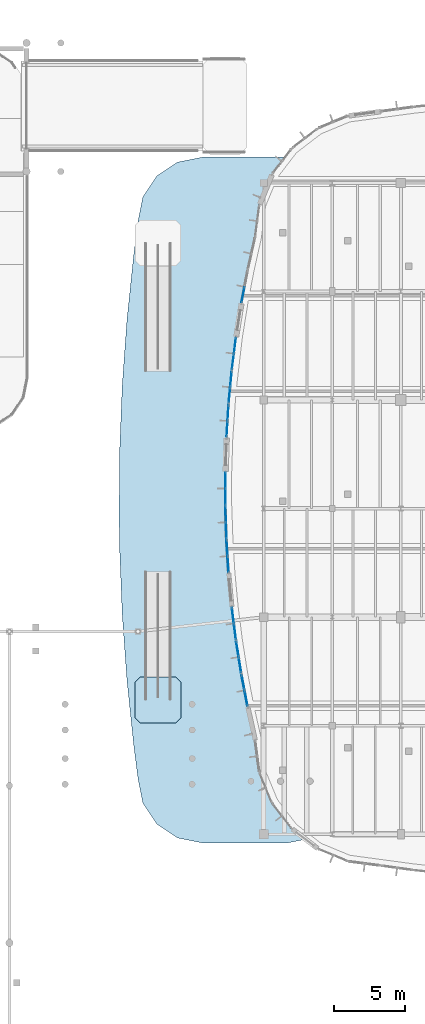
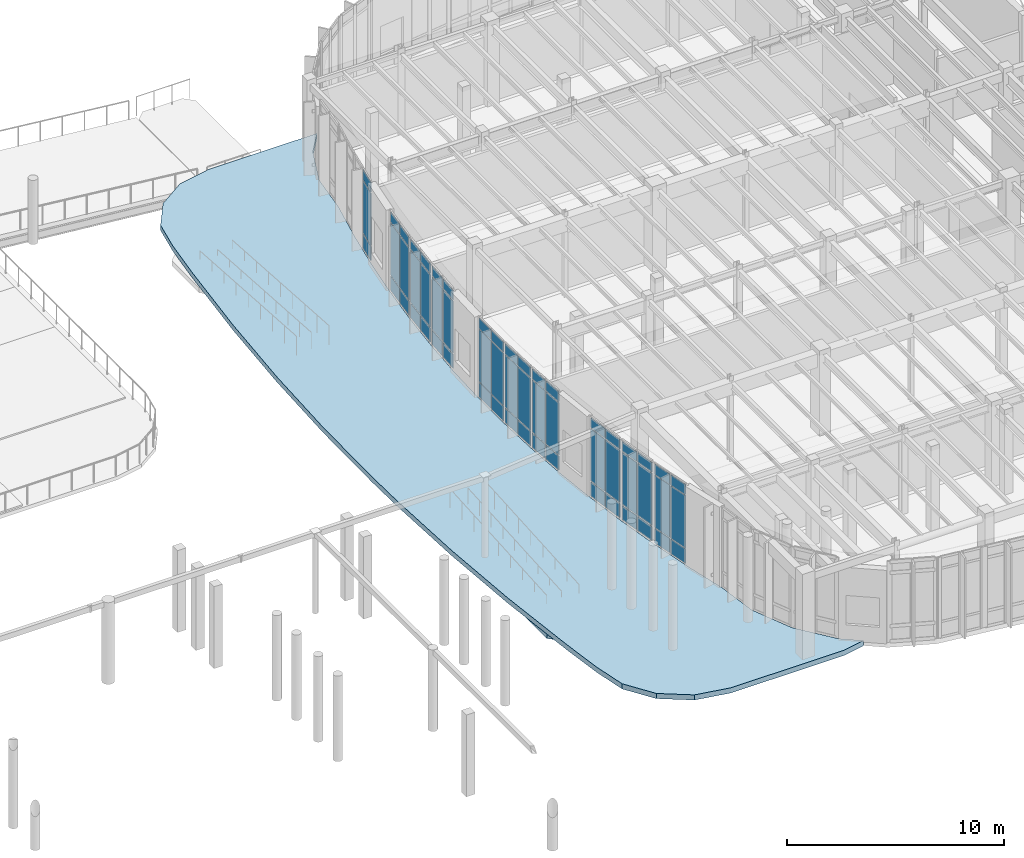
# One storey, part 80 of 120: 57 plates, 2 slabs, 10 elements without a shape of their own.
"""IFC4 building model written with IfcOpenShell, lengths in metres."""

from ifc_helpers import new_model, si_unit, direction, frame, origin, origin_2d, place, context, subcontext, project, spatial, polyline, rectangle, outline, extrude, material, layer, layer_set, type_object, element, aggregate, save


model = new_model("IFC4")

# Units and contexts
model_context = context("Model", 3, precision=1e-05, world=origin(), true_north=direction((0.0, 1.0)))
body_context = subcontext(model_context, "Body", "Model", "MODEL_VIEW")
ifc_project = project(units=[si_unit("LENGTHUNIT", "METRE"), si_unit("AREAUNIT", "SQUARE_METRE"), si_unit("VOLUMEUNIT", "CUBIC_METRE"), si_unit("PLANEANGLEUNIT", "RADIAN"), si_unit("MASSUNIT", "GRAM", prefix="KILO")], contexts=[model_context])

# Site, building, storey
site_placement = place(None, origin())
site = spatial("IfcSite", under=ifc_project, at=site_placement, CompositionType="ELEMENT")
building_placement = place(site_placement, origin())
building = spatial("IfcBuilding", under=site, at=building_placement, Name="Corveleigh Park Community Centre", CompositionType="ELEMENT")
storey_placement = place(building_placement, origin())
storey = spatial("IfcBuildingStorey", under=building, at=storey_placement, Name="L00", CompositionType="ELEMENT", Elevation=0.0)

# Curtain wall, plates
ifc_material_1 = material(Name="Anodised aluminium 6063-T6", Category="aluminium")
curtain_wall_type = type_object("IfcCurtainWallType", Name="CW-SYS-V4-L00", PredefinedType="NOTDEFINED", material=ifc_material_1)
curtain_wall_1_placement = place(storey_placement, origin())
curtain_wall_1 = element("IfcCurtainWall", 1, at=curtain_wall_1_placement, inside=storey, type_object=curtain_wall_type, Name="V4 L00 Curtain Wall 147", PredefinedType="NOTDEFINED")
ifc_material_2 = material(Name="Low-E double glazing", Category="glass")
ifc_layer_1 = layer(ifc_material_2, 0.028076171875, Name="Low-E double glazing", Category="glass")
ifc_layer_set_1 = layer_set([ifc_layer_1], Name="Low-E double glazing")
plate_type_1 = type_object("IfcPlateType", Name="CWP-GLZ-28", PredefinedType="CURTAIN_PANEL", material=ifc_layer_set_1)
plate_1_placement = place(storey_placement, frame((128.353271484375, 96.365478515625, 0.06494140625), z_axis=(0.0, 0.0, 1.0), x_axis=(0.187190304951, 0.982323668519, 0.0)))
plate_1 = element("IfcPlate", 2, at=plate_1_placement, type_object=plate_type_1, Name="CW07 panel 1.1", PredefinedType="CURTAIN_PANEL", context=body_context, shape_type="SweptSolid", body=[
    extrude(rectangle(XDim=1.0703125, YDim=0.028076171875, at=origin_2d()), origin(), (0.0, 0.0, 1.0), 0.802490234375),
])
plate_2_placement = place(storey_placement, frame((128.353271484375, 96.365478515625, 0.9326171875), z_axis=(0.0, 0.0, 1.0), x_axis=(0.187190304951, 0.982323668519, 0.0)))
plate_2 = element("IfcPlate", 3, at=plate_2_placement, type_object=plate_type_1, Name="CW07 panel 1.2", PredefinedType="CURTAIN_PANEL", context=body_context, shape_type="SweptSolid", body=[
    extrude(rectangle(XDim=1.0703125, YDim=0.028076171875, at=origin_2d()), origin(), (0.0, 0.0, 1.0), 2.922119140625),
])
plate_3_placement = place(storey_placement, frame((128.353271484375, 96.365478515625, 3.91943359375), z_axis=(0.0, 0.0, 1.0), x_axis=(0.187190304951, 0.982323668519, 0.0)))
plate_3 = element("IfcPlate", 4, at=plate_3_placement, type_object=plate_type_1, Name="CW07 panel 1.3", PredefinedType="CURTAIN_PANEL", context=body_context, shape_type="SweptSolid", body=[
    extrude(rectangle(XDim=1.0703125, YDim=0.028076171875, at=origin_2d()), origin(), (0.0, 0.0, 1.0), 0.552490234375),
])
aggregate(curtain_wall_1, [plate_1, plate_2, plate_3])

curtain_wall_2_placement = place(storey_placement, origin())
curtain_wall_2 = element("IfcCurtainWall", 5, at=curtain_wall_2_placement, inside=storey, type_object=curtain_wall_type, Name="V4 L00 Curtain Wall 148", PredefinedType="NOTDEFINED")
plate_4_placement = place(storey_placement, frame((127.646240234375, 91.68359375, 0.070068359375), z_axis=(0.0, 0.0, 1.0), x_axis=(0.125919374639, 0.992040478554, 0.0)))
plate_4 = element("IfcPlate", 6, at=plate_4_placement, type_object=plate_type_1, Name="CW07 panel 1.1", PredefinedType="CURTAIN_PANEL", context=body_context, shape_type="SweptSolid", body=[
    extrude(rectangle(XDim=1.062744140625, YDim=0.028076171875, at=origin_2d()), origin(), (0.0, 0.0, 1.0), 0.794921875),
])
plate_5_placement = place(storey_placement, frame((127.646240234375, 91.68359375, 0.93505859375), z_axis=(0.0, 0.0, 1.0), x_axis=(0.125919374639, 0.992040478554, 0.0)))
plate_5 = element("IfcPlate", 7, at=plate_5_placement, type_object=plate_type_1, Name="CW07 panel 1.2", PredefinedType="CURTAIN_PANEL", context=body_context, shape_type="SweptSolid", body=[
    extrude(rectangle(XDim=1.062744140625, YDim=0.028076171875, at=origin_2d()), origin(), (0.0, 0.0, 1.0), 2.9169921875),
])
plate_6_placement = place(storey_placement, frame((127.646240234375, 91.68359375, 3.922119140625), z_axis=(0.0, 0.0, 1.0), x_axis=(0.125919374639, 0.992040478554, 0.0)))
plate_6 = element("IfcPlate", 8, at=plate_6_placement, type_object=plate_type_1, Name="CW07 panel 1.3", PredefinedType="CURTAIN_PANEL", context=body_context, shape_type="SweptSolid", body=[
    extrude(rectangle(XDim=1.062744140625, YDim=0.028076171875, at=origin_2d()), origin(), (0.0, 0.0, 1.0), 0.544921875),
])
plate_7_placement = place(storey_placement, frame((127.78955078125, 92.8125, 0.070068359375), z_axis=(0.0, 0.0, 1.0), x_axis=(0.125919374639, 0.992040478554, 0.0)))
plate_7 = element("IfcPlate", 9, at=plate_7_placement, type_object=plate_type_1, Name="CW07 panel 2.1", PredefinedType="CURTAIN_PANEL", context=body_context, shape_type="SweptSolid", body=[
    extrude(rectangle(XDim=1.062744140625, YDim=0.028076171875, at=origin_2d()), origin(), (0.0, 0.0, 1.0), 0.794921875),
])
plate_8_placement = place(storey_placement, frame((127.78955078125, 92.8125, 0.93505859375), z_axis=(0.0, 0.0, 1.0), x_axis=(0.125919374639, 0.992040478554, 0.0)))
plate_8 = element("IfcPlate", 10, at=plate_8_placement, type_object=plate_type_1, Name="CW07 panel 2.2", PredefinedType="CURTAIN_PANEL", context=body_context, shape_type="SweptSolid", body=[
    extrude(rectangle(XDim=1.062744140625, YDim=0.028076171875, at=origin_2d()), origin(), (0.0, 0.0, 1.0), 2.9169921875),
])
plate_9_placement = place(storey_placement, frame((127.78955078125, 92.8125, 3.922119140625), z_axis=(0.0, 0.0, 1.0), x_axis=(0.125919374639, 0.992040478554, 0.0)))
plate_9 = element("IfcPlate", 11, at=plate_9_placement, type_object=plate_type_1, Name="CW07 panel 2.3", PredefinedType="CURTAIN_PANEL", context=body_context, shape_type="SweptSolid", body=[
    extrude(rectangle(XDim=1.062744140625, YDim=0.028076171875, at=origin_2d()), origin(), (0.0, 0.0, 1.0), 0.544921875),
])
aggregate(curtain_wall_2, [plate_4, plate_5, plate_6, plate_7, plate_8, plate_9])

curtain_wall_3_placement = place(storey_placement, origin())
curtain_wall_3 = element("IfcCurtainWall", 12, at=curtain_wall_3_placement, inside=storey, type_object=curtain_wall_type, Name="V4 L00 Curtain Wall 149", PredefinedType="NOTDEFINED")
ifc_layer_2 = layer(ifc_material_2, 0.031982421875, Name="Low-E double glazing", Category="glass")
ifc_layer_set_2 = layer_set([ifc_layer_2], Name="Low-E double glazing")
plate_type_2 = type_object("IfcPlateType", Name="CWP-GLZ-32", PredefinedType="CURTAIN_PANEL", material=ifc_layer_set_2)
plate_10_placement = place(storey_placement, frame((127.404052734375, 89.328857421875, 0.074951171875), z_axis=(0.0, 0.0, 1.0), x_axis=(0.094026030916, 0.995569739149, 0.0)))
plate_10 = element("IfcPlate", 13, at=plate_10_placement, type_object=plate_type_2, Name="CW07 panel 1.1", PredefinedType="CURTAIN_PANEL", context=body_context, shape_type="SweptSolid", body=[
    extrude(rectangle(XDim=1.05517578125, YDim=0.031982421875, at=origin_2d()), origin(), (0.0, 0.0, 1.0), 0.78759765625),
])
plate_11_placement = place(storey_placement, frame((127.404052734375, 89.328857421875, 0.9375), z_axis=(0.0, 0.0, 1.0), x_axis=(0.094026030916, 0.995569739149, 0.0)))
plate_11 = element("IfcPlate", 14, at=plate_11_placement, type_object=plate_type_2, Name="CW07 panel 1.2", PredefinedType="CURTAIN_PANEL", context=body_context, shape_type="SweptSolid", body=[
    extrude(rectangle(XDim=1.05517578125, YDim=0.031982421875, at=origin_2d()), origin(), (0.0, 0.0, 1.0), 2.912109375),
])
plate_12_placement = place(storey_placement, frame((127.404052734375, 89.328857421875, 3.924560546875), z_axis=(0.0, 0.0, 1.0), x_axis=(0.094026030916, 0.995569739149, 0.0)))
plate_12 = element("IfcPlate", 15, at=plate_12_placement, type_object=plate_type_2, Name="CW07 panel 1.3", PredefinedType="CURTAIN_PANEL", context=body_context, shape_type="SweptSolid", body=[
    extrude(rectangle(XDim=1.05517578125, YDim=0.031982421875, at=origin_2d()), origin(), (0.0, 0.0, 1.0), 0.53759765625),
])
plate_13_placement = place(storey_placement, frame((127.510986328125, 90.458984375, 0.074951171875), z_axis=(0.0, 0.0, 1.0), x_axis=(0.094026030916, 0.995569739149, 0.0)))
plate_13 = element("IfcPlate", 16, at=plate_13_placement, type_object=plate_type_2, Name="CW07 panel 2.1", PredefinedType="CURTAIN_PANEL", context=body_context, shape_type="SweptSolid", body=[
    extrude(rectangle(XDim=1.05517578125, YDim=0.031982421875, at=origin_2d()), origin(), (0.0, 0.0, 1.0), 0.78759765625),
])
plate_14_placement = place(storey_placement, frame((127.510986328125, 90.458984375, 0.9375), z_axis=(0.0, 0.0, 1.0), x_axis=(0.094026030916, 0.995569739149, 0.0)))
plate_14 = element("IfcPlate", 17, at=plate_14_placement, type_object=plate_type_2, Name="CW07 panel 2.2", PredefinedType="CURTAIN_PANEL", context=body_context, shape_type="SweptSolid", body=[
    extrude(rectangle(XDim=1.05517578125, YDim=0.031982421875, at=origin_2d()), origin(), (0.0, 0.0, 1.0), 2.912109375),
])
plate_15_placement = place(storey_placement, frame((127.510986328125, 90.458984375, 3.924560546875), z_axis=(0.0, 0.0, 1.0), x_axis=(0.094026030916, 0.995569739149, 0.0)))
plate_15 = element("IfcPlate", 18, at=plate_15_placement, type_object=plate_type_2, Name="CW07 panel 2.3", PredefinedType="CURTAIN_PANEL", context=body_context, shape_type="SweptSolid", body=[
    extrude(rectangle(XDim=1.05517578125, YDim=0.031982421875, at=origin_2d()), origin(), (0.0, 0.0, 1.0), 0.53759765625),
])
aggregate(curtain_wall_3, [plate_10, plate_11, plate_12, plate_13, plate_14, plate_15])

curtain_wall_4_placement = place(storey_placement, origin())
curtain_wall_4 = element("IfcCurtainWall", 19, at=curtain_wall_4_placement, inside=storey, type_object=curtain_wall_type, Name="V4 L00 Curtain Wall 150", PredefinedType="NOTDEFINED")
plate_16_placement = place(storey_placement, frame((127.236083984375, 86.968505859375, 0.080078125), z_axis=(0.0, 0.0, 1.0), x_axis=(0.062563762233, 0.998040968926, 0.0)))
plate_16 = element("IfcPlate", 20, at=plate_16_placement, type_object=plate_type_2, Name="CW07 panel 1.1", PredefinedType="CURTAIN_PANEL", context=body_context, shape_type="SweptSolid", body=[
    extrude(rectangle(XDim=1.04736328125, YDim=0.031982421875, at=origin_2d()), origin(), (0.0, 0.0, 1.0), 0.780029296875),
])
plate_17_placement = place(storey_placement, frame((127.236083984375, 86.968505859375, 0.93994140625), z_axis=(0.0, 0.0, 1.0), x_axis=(0.062563762233, 0.998040968926, 0.0)))
plate_17 = element("IfcPlate", 21, at=plate_17_placement, type_object=plate_type_2, Name="CW07 panel 1.2", PredefinedType="CURTAIN_PANEL", context=body_context, shape_type="SweptSolid", body=[
    extrude(rectangle(XDim=1.04736328125, YDim=0.031982421875, at=origin_2d()), origin(), (0.0, 0.0, 1.0), 2.906982421875),
])
plate_18_placement = place(storey_placement, frame((127.236083984375, 86.968505859375, 3.9267578125), z_axis=(0.0, 0.0, 1.0), x_axis=(0.062563762233, 0.998040968926, 0.0)))
plate_18 = element("IfcPlate", 22, at=plate_18_placement, type_object=plate_type_2, Name="CW07 panel 1.3", PredefinedType="CURTAIN_PANEL", context=body_context, shape_type="SweptSolid", body=[
    extrude(rectangle(XDim=1.04736328125, YDim=0.031982421875, at=origin_2d()), origin(), (0.0, 0.0, 1.0), 0.530029296875),
])
plate_19_placement = place(storey_placement, frame((127.306884765625, 88.0986328125, 0.080078125), z_axis=(0.0, 0.0, 1.0), x_axis=(0.062563762233, 0.998040968926, 0.0)))
plate_19 = element("IfcPlate", 23, at=plate_19_placement, type_object=plate_type_2, Name="CW07 panel 2.1", PredefinedType="CURTAIN_PANEL", context=body_context, shape_type="SweptSolid", body=[
    extrude(rectangle(XDim=1.04736328125, YDim=0.031982421875, at=origin_2d()), origin(), (0.0, 0.0, 1.0), 0.780029296875),
])
plate_20_placement = place(storey_placement, frame((127.306884765625, 88.0986328125, 0.93994140625), z_axis=(0.0, 0.0, 1.0), x_axis=(0.062563762233, 0.998040968926, 0.0)))
plate_20 = element("IfcPlate", 24, at=plate_20_placement, type_object=plate_type_2, Name="CW07 panel 2.2", PredefinedType="CURTAIN_PANEL", context=body_context, shape_type="SweptSolid", body=[
    extrude(rectangle(XDim=1.04736328125, YDim=0.031982421875, at=origin_2d()), origin(), (0.0, 0.0, 1.0), 2.906982421875),
])
plate_21_placement = place(storey_placement, frame((127.306884765625, 88.0986328125, 3.9267578125), z_axis=(0.0, 0.0, 1.0), x_axis=(0.062563762233, 0.998040968926, 0.0)))
plate_21 = element("IfcPlate", 25, at=plate_21_placement, type_object=plate_type_2, Name="CW07 panel 2.3", PredefinedType="CURTAIN_PANEL", context=body_context, shape_type="SweptSolid", body=[
    extrude(rectangle(XDim=1.04736328125, YDim=0.031982421875, at=origin_2d()), origin(), (0.0, 0.0, 1.0), 0.530029296875),
])
aggregate(curtain_wall_4, [plate_16, plate_17, plate_18, plate_19, plate_20, plate_21])

curtain_wall_5_placement = place(storey_placement, origin())
curtain_wall_5 = element("IfcCurtainWall", 26, at=curtain_wall_5_placement, inside=storey, type_object=curtain_wall_type, Name="V4 L00 Curtain Wall 151", PredefinedType="NOTDEFINED")
ifc_layer_3 = layer(ifc_material_2, 0.035888671875, Name="Low-E double glazing", Category="glass")
ifc_layer_set_3 = layer_set([ifc_layer_3], Name="Low-E double glazing")
plate_type_3 = type_object("IfcPlateType", Name="CWP-GLZ-36", PredefinedType="CURTAIN_PANEL", material=ifc_layer_set_3)
plate_22_placement = place(storey_placement, frame((127.1220703125, 82.2275390625, 0.06005859375), z_axis=(0.0, 0.0, 1.0), x_axis=(0.0, 1.0, 0.0)))
plate_22 = element("IfcPlate", 27, at=plate_22_placement, type_object=plate_type_3, Name="CW07 panel 1.1", PredefinedType="CURTAIN_PANEL", context=body_context, shape_type="SweptSolid", body=[
    extrude(rectangle(XDim=1.0849609375, YDim=0.035888671875, at=origin_2d()), origin(), (0.0, 0.0, 1.0), 0.81005859375),
])
plate_23_placement = place(storey_placement, frame((127.1220703125, 82.2275390625, 0.93017578125), z_axis=(0.0, 0.0, 1.0), x_axis=(0.0, 1.0, 0.0)))
plate_23 = element("IfcPlate", 28, at=plate_23_placement, type_object=plate_type_3, Name="CW07 panel 1.2", PredefinedType="CURTAIN_PANEL", context=body_context, shape_type="SweptSolid", body=[
    extrude(rectangle(XDim=1.0849609375, YDim=0.035888671875, at=origin_2d()), origin(), (0.0, 0.0, 1.0), 2.927001953125),
])
plate_24_placement = place(storey_placement, frame((127.1220703125, 82.2275390625, 3.9169921875), z_axis=(0.0, 0.0, 1.0), x_axis=(0.0, 1.0, 0.0)))
plate_24 = element("IfcPlate", 29, at=plate_24_placement, type_object=plate_type_3, Name="CW07 panel 1.3", PredefinedType="CURTAIN_PANEL", context=body_context, shape_type="SweptSolid", body=[
    extrude(rectangle(XDim=1.0849609375, YDim=0.035888671875, at=origin_2d()), origin(), (0.0, 0.0, 1.0), 0.56005859375),
])
plate_25_placement = place(storey_placement, frame((127.1220703125, 83.37255859375, 0.06005859375), z_axis=(0.0, 0.0, 1.0), x_axis=(0.0, 1.0, 0.0)))
plate_25 = element("IfcPlate", 30, at=plate_25_placement, type_object=plate_type_3, Name="CW07 panel 2.1", PredefinedType="CURTAIN_PANEL", context=body_context, shape_type="SweptSolid", body=[
    extrude(rectangle(XDim=1.0849609375, YDim=0.035888671875, at=origin_2d()), origin(), (0.0, 0.0, 1.0), 0.81005859375),
])
plate_26_placement = place(storey_placement, frame((127.1220703125, 83.37255859375, 0.93017578125), z_axis=(0.0, 0.0, 1.0), x_axis=(0.0, 1.0, 0.0)))
plate_26 = element("IfcPlate", 31, at=plate_26_placement, type_object=plate_type_3, Name="CW07 panel 2.2", PredefinedType="CURTAIN_PANEL", context=body_context, shape_type="SweptSolid", body=[
    extrude(rectangle(XDim=1.0849609375, YDim=0.035888671875, at=origin_2d()), origin(), (0.0, 0.0, 1.0), 2.927001953125),
])
plate_27_placement = place(storey_placement, frame((127.1220703125, 83.37255859375, 3.9169921875), z_axis=(0.0, 0.0, 1.0), x_axis=(0.0, 1.0, 0.0)))
plate_27 = element("IfcPlate", 32, at=plate_27_placement, type_object=plate_type_3, Name="CW07 panel 2.3", PredefinedType="CURTAIN_PANEL", context=body_context, shape_type="SweptSolid", body=[
    extrude(rectangle(XDim=1.0849609375, YDim=0.035888671875, at=origin_2d()), origin(), (0.0, 0.0, 1.0), 0.56005859375),
])
aggregate(curtain_wall_5, [plate_22, plate_23, plate_24, plate_25, plate_26, plate_27])

curtain_wall_6_placement = place(storey_placement, origin())
curtain_wall_6 = element("IfcCurtainWall", 33, at=curtain_wall_6_placement, inside=storey, type_object=curtain_wall_type, Name="V4 L00 Curtain Wall 152", PredefinedType="NOTDEFINED")
plate_28_placement = place(storey_placement, frame((127.177734375, 79.86083984375, 0.06494140625), z_axis=(0.0, 0.0, 1.0), x_axis=(-0.031898652394, 0.999491108502, 0.0)))
plate_28 = element("IfcPlate", 34, at=plate_28_placement, type_object=plate_type_3, Name="CW07 panel 1.1", PredefinedType="CURTAIN_PANEL", context=body_context, shape_type="SweptSolid", body=[
    extrude(rectangle(XDim=1.078125, YDim=0.035888671875, at=origin_2d()), origin(), (0.0, 0.0, 1.0), 0.802490234375),
])
plate_29_placement = place(storey_placement, frame((127.177734375, 79.86083984375, 0.9326171875), z_axis=(0.0, 0.0, 1.0), x_axis=(-0.031898652394, 0.999491108502, 0.0)))
plate_29 = element("IfcPlate", 35, at=plate_29_placement, type_object=plate_type_3, Name="CW07 panel 1.2", PredefinedType="CURTAIN_PANEL", context=body_context, shape_type="SweptSolid", body=[
    extrude(rectangle(XDim=1.078125, YDim=0.035888671875, at=origin_2d()), origin(), (0.0, 0.0, 1.0), 2.922119140625),
])
plate_30_placement = place(storey_placement, frame((127.177734375, 79.86083984375, 3.91943359375), z_axis=(0.0, 0.0, 1.0), x_axis=(-0.031898652394, 0.999491108502, 0.0)))
plate_30 = element("IfcPlate", 36, at=plate_30_placement, type_object=plate_type_3, Name="CW07 panel 1.3", PredefinedType="CURTAIN_PANEL", context=body_context, shape_type="SweptSolid", body=[
    extrude(rectangle(XDim=1.078125, YDim=0.035888671875, at=origin_2d()), origin(), (0.0, 0.0, 1.0), 0.552490234375),
])
plate_31_placement = place(storey_placement, frame((127.141357421875, 81.003173828125, 0.06494140625), z_axis=(0.0, 0.0, 1.0), x_axis=(-0.031898652394, 0.999491108502, 0.0)))
plate_31 = element("IfcPlate", 37, at=plate_31_placement, type_object=plate_type_3, Name="CW07 panel 2.1", PredefinedType="CURTAIN_PANEL", context=body_context, shape_type="SweptSolid", body=[
    extrude(rectangle(XDim=1.078125, YDim=0.035888671875, at=origin_2d()), origin(), (0.0, 0.0, 1.0), 0.802490234375),
])
plate_32_placement = place(storey_placement, frame((127.141357421875, 81.003173828125, 0.9326171875), z_axis=(0.0, 0.0, 1.0), x_axis=(-0.031898652394, 0.999491108502, 0.0)))
plate_32 = element("IfcPlate", 38, at=plate_32_placement, type_object=plate_type_3, Name="CW07 panel 2.2", PredefinedType="CURTAIN_PANEL", context=body_context, shape_type="SweptSolid", body=[
    extrude(rectangle(XDim=1.078125, YDim=0.035888671875, at=origin_2d()), origin(), (0.0, 0.0, 1.0), 2.922119140625),
])
plate_33_placement = place(storey_placement, frame((127.141357421875, 81.003173828125, 3.91943359375), z_axis=(0.0, 0.0, 1.0), x_axis=(-0.031898652394, 0.999491108502, 0.0)))
plate_33 = element("IfcPlate", 39, at=plate_33_placement, type_object=plate_type_3, Name="CW07 panel 2.3", PredefinedType="CURTAIN_PANEL", context=body_context, shape_type="SweptSolid", body=[
    extrude(rectangle(XDim=1.078125, YDim=0.035888671875, at=origin_2d()), origin(), (0.0, 0.0, 1.0), 0.552490234375),
])
aggregate(curtain_wall_6, [plate_28, plate_29, plate_30, plate_31, plate_32, plate_33])

curtain_wall_7_placement = place(storey_placement, origin())
curtain_wall_7 = element("IfcCurtainWall", 40, at=curtain_wall_7_placement, inside=storey, type_object=curtain_wall_type, Name="V4 L00 Curtain Wall 153", PredefinedType="NOTDEFINED")
ifc_layer_4 = layer(ifc_material_2, 0.0400390625, Name="Low-E double glazing", Category="glass")
ifc_layer_set_4 = layer_set([ifc_layer_4], Name="Low-E double glazing")
plate_type_4 = type_object("IfcPlateType", Name="CWP-GLZ-40", PredefinedType="CURTAIN_PANEL", material=ifc_layer_set_4)
plate_34_placement = place(storey_placement, frame((127.30712890625, 77.497802734375, 0.070068359375), z_axis=(0.0, 0.0, 1.0), x_axis=(-0.062563762233, 0.998040968926, 0.0)))
plate_34 = element("IfcPlate", 41, at=plate_34_placement, type_object=plate_type_4, Name="CW07 panel 1.1", PredefinedType="CURTAIN_PANEL", context=body_context, shape_type="SweptSolid", body=[
    extrude(rectangle(XDim=1.06982421875, YDim=0.0400390625, at=origin_2d()), origin(), (0.0, 0.0, 1.0), 0.794921875),
])
plate_35_placement = place(storey_placement, frame((127.30712890625, 77.497802734375, 0.93505859375), z_axis=(0.0, 0.0, 1.0), x_axis=(-0.062563762233, 0.998040968926, 0.0)))
plate_35 = element("IfcPlate", 42, at=plate_35_placement, type_object=plate_type_4, Name="CW07 panel 1.2", PredefinedType="CURTAIN_PANEL", context=body_context, shape_type="SweptSolid", body=[
    extrude(rectangle(XDim=1.06982421875, YDim=0.0400390625, at=origin_2d()), origin(), (0.0, 0.0, 1.0), 2.9169921875),
])
plate_36_placement = place(storey_placement, frame((127.30712890625, 77.497802734375, 3.922119140625), z_axis=(0.0, 0.0, 1.0), x_axis=(-0.062563762233, 0.998040968926, 0.0)))
plate_36 = element("IfcPlate", 43, at=plate_36_placement, type_object=plate_type_4, Name="CW07 panel 1.3", PredefinedType="CURTAIN_PANEL", context=body_context, shape_type="SweptSolid", body=[
    extrude(rectangle(XDim=1.06982421875, YDim=0.0400390625, at=origin_2d()), origin(), (0.0, 0.0, 1.0), 0.544921875),
])
plate_37_placement = place(storey_placement, frame((127.23583984375, 78.63525390625, 0.070068359375), z_axis=(0.0, 0.0, 1.0), x_axis=(-0.062563762233, 0.998040968926, 0.0)))
plate_37 = element("IfcPlate", 44, at=plate_37_placement, type_object=plate_type_4, Name="CW07 panel 2.1", PredefinedType="CURTAIN_PANEL", context=body_context, shape_type="SweptSolid", body=[
    extrude(rectangle(XDim=1.06982421875, YDim=0.0400390625, at=origin_2d()), origin(), (0.0, 0.0, 1.0), 0.794921875),
])
plate_38_placement = place(storey_placement, frame((127.23583984375, 78.63525390625, 0.93505859375), z_axis=(0.0, 0.0, 1.0), x_axis=(-0.062563762233, 0.998040968926, 0.0)))
plate_38 = element("IfcPlate", 45, at=plate_38_placement, type_object=plate_type_4, Name="CW07 panel 2.2", PredefinedType="CURTAIN_PANEL", context=body_context, shape_type="SweptSolid", body=[
    extrude(rectangle(XDim=1.06982421875, YDim=0.0400390625, at=origin_2d()), origin(), (0.0, 0.0, 1.0), 2.9169921875),
])
plate_39_placement = place(storey_placement, frame((127.23583984375, 78.63525390625, 3.922119140625), z_axis=(0.0, 0.0, 1.0), x_axis=(-0.062563762233, 0.998040968926, 0.0)))
plate_39 = element("IfcPlate", 46, at=plate_39_placement, type_object=plate_type_4, Name="CW07 panel 2.3", PredefinedType="CURTAIN_PANEL", context=body_context, shape_type="SweptSolid", body=[
    extrude(rectangle(XDim=1.06982421875, YDim=0.0400390625, at=origin_2d()), origin(), (0.0, 0.0, 1.0), 0.544921875),
])
aggregate(curtain_wall_7, [plate_34, plate_35, plate_36, plate_37, plate_38, plate_39])

curtain_wall_8_placement = place(storey_placement, origin())
curtain_wall_8 = element("IfcCurtainWall", 47, at=curtain_wall_8_placement, inside=storey, type_object=curtain_wall_type, Name="V4 L00 Curtain Wall 154", PredefinedType="NOTDEFINED")
plate_40_placement = place(storey_placement, frame((127.78955078125, 72.78759765625, 0.074951171875), z_axis=(0.0, 0.0, 1.0), x_axis=(-0.125919374639, 0.992040478554, 0.0)))
plate_40 = element("IfcPlate", 48, at=plate_40_placement, type_object=plate_type_4, Name="CW07 panel 1.1", PredefinedType="CURTAIN_PANEL", context=body_context, shape_type="SweptSolid", body=[
    extrude(rectangle(XDim=1.062744140625, YDim=0.0400390625, at=origin_2d()), origin(), (0.0, 0.0, 1.0), 0.78759765625),
])
plate_41_placement = place(storey_placement, frame((127.78955078125, 72.78759765625, 0.9375), z_axis=(0.0, 0.0, 1.0), x_axis=(-0.125919374639, 0.992040478554, 0.0)))
plate_41 = element("IfcPlate", 49, at=plate_41_placement, type_object=plate_type_4, Name="CW07 panel 1.2", PredefinedType="CURTAIN_PANEL", context=body_context, shape_type="SweptSolid", body=[
    extrude(rectangle(XDim=1.062744140625, YDim=0.0400390625, at=origin_2d()), origin(), (0.0, 0.0, 1.0), 2.912109375),
])
plate_42_placement = place(storey_placement, frame((127.78955078125, 72.78759765625, 3.924560546875), z_axis=(0.0, 0.0, 1.0), x_axis=(-0.125919374639, 0.992040478554, 0.0)))
plate_42 = element("IfcPlate", 50, at=plate_42_placement, type_object=plate_type_4, Name="CW07 panel 1.3", PredefinedType="CURTAIN_PANEL", context=body_context, shape_type="SweptSolid", body=[
    extrude(rectangle(XDim=1.062744140625, YDim=0.0400390625, at=origin_2d()), origin(), (0.0, 0.0, 1.0), 0.53759765625),
])
plate_43_placement = place(storey_placement, frame((127.646240234375, 73.91650390625, 0.074951171875), z_axis=(0.0, 0.0, 1.0), x_axis=(-0.125919374639, 0.992040478554, 0.0)))
plate_43 = element("IfcPlate", 51, at=plate_43_placement, type_object=plate_type_4, Name="CW07 panel 2.1", PredefinedType="CURTAIN_PANEL", context=body_context, shape_type="SweptSolid", body=[
    extrude(rectangle(XDim=1.062744140625, YDim=0.0400390625, at=origin_2d()), origin(), (0.0, 0.0, 1.0), 0.78759765625),
])
plate_44_placement = place(storey_placement, frame((127.646240234375, 73.91650390625, 0.9375), z_axis=(0.0, 0.0, 1.0), x_axis=(-0.125919374639, 0.992040478554, 0.0)))
plate_44 = element("IfcPlate", 52, at=plate_44_placement, type_object=plate_type_4, Name="CW07 panel 2.2", PredefinedType="CURTAIN_PANEL", context=body_context, shape_type="SweptSolid", body=[
    extrude(rectangle(XDim=1.062744140625, YDim=0.0400390625, at=origin_2d()), origin(), (0.0, 0.0, 1.0), 2.912109375),
])
plate_45_placement = place(storey_placement, frame((127.646240234375, 73.91650390625, 3.924560546875), z_axis=(0.0, 0.0, 1.0), x_axis=(-0.125919374639, 0.992040478554, 0.0)))
plate_45 = element("IfcPlate", 53, at=plate_45_placement, type_object=plate_type_4, Name="CW07 panel 2.3", PredefinedType="CURTAIN_PANEL", context=body_context, shape_type="SweptSolid", body=[
    extrude(rectangle(XDim=1.062744140625, YDim=0.0400390625, at=origin_2d()), origin(), (0.0, 0.0, 1.0), 0.53759765625),
])
aggregate(curtain_wall_8, [plate_40, plate_41, plate_42, plate_43, plate_44, plate_45])

curtain_wall_9_placement = place(storey_placement, origin())
curtain_wall_9 = element("IfcCurtainWall", 54, at=curtain_wall_9_placement, inside=storey, type_object=curtain_wall_type, Name="V4 L00 Curtain Wall 155", PredefinedType="NOTDEFINED")
ifc_layer_5 = layer(ifc_material_2, 0.0439453125, Name="Low-E double glazing", Category="glass")
ifc_layer_set_5 = layer_set([ifc_layer_5], Name="Low-E double glazing")
plate_type_5 = type_object("IfcPlateType", Name="CWP-GLZ-44", PredefinedType="CURTAIN_PANEL", material=ifc_layer_set_5)
plate_46_placement = place(storey_placement, frame((128.1416015625, 70.447021484375, 0.080078125), z_axis=(0.0, 0.0, 1.0), x_axis=(-0.157011297563, 0.987596806616, 0.0)))
plate_46 = element("IfcPlate", 55, at=plate_46_placement, type_object=plate_type_5, Name="CW07 panel 1.1", PredefinedType="CURTAIN_PANEL", context=body_context, shape_type="SweptSolid", body=[
    extrude(rectangle(XDim=1.05517578125, YDim=0.0439453125, at=origin_2d()), origin(), (0.0, 0.0, 1.0), 0.780029296875),
])
plate_47_placement = place(storey_placement, frame((128.1416015625, 70.447021484375, 0.93994140625), z_axis=(0.0, 0.0, 1.0), x_axis=(-0.157011297563, 0.987596806616, 0.0)))
plate_47 = element("IfcPlate", 56, at=plate_47_placement, type_object=plate_type_5, Name="CW07 panel 1.2", PredefinedType="CURTAIN_PANEL", context=body_context, shape_type="SweptSolid", body=[
    extrude(rectangle(XDim=1.05517578125, YDim=0.0439453125, at=origin_2d()), origin(), (0.0, 0.0, 1.0), 2.906982421875),
])
plate_48_placement = place(storey_placement, frame((128.1416015625, 70.447021484375, 3.9267578125), z_axis=(0.0, 0.0, 1.0), x_axis=(-0.157011297563, 0.987596806616, 0.0)))
plate_48 = element("IfcPlate", 57, at=plate_48_placement, type_object=plate_type_5, Name="CW07 panel 1.3", PredefinedType="CURTAIN_PANEL", context=body_context, shape_type="SweptSolid", body=[
    extrude(rectangle(XDim=1.05517578125, YDim=0.0439453125, at=origin_2d()), origin(), (0.0, 0.0, 1.0), 0.530029296875),
])
plate_49_placement = place(storey_placement, frame((127.96337890625, 71.568115234375, 0.080078125), z_axis=(0.0, 0.0, 1.0), x_axis=(-0.157011297563, 0.987596806616, 0.0)))
plate_49 = element("IfcPlate", 58, at=plate_49_placement, type_object=plate_type_5, Name="CW07 panel 2.1", PredefinedType="CURTAIN_PANEL", context=body_context, shape_type="SweptSolid", body=[
    extrude(rectangle(XDim=1.05517578125, YDim=0.0439453125, at=origin_2d()), origin(), (0.0, 0.0, 1.0), 0.780029296875),
])
plate_50_placement = place(storey_placement, frame((127.96337890625, 71.568115234375, 0.93994140625), z_axis=(0.0, 0.0, 1.0), x_axis=(-0.157011297563, 0.987596806616, 0.0)))
plate_50 = element("IfcPlate", 59, at=plate_50_placement, type_object=plate_type_5, Name="CW07 panel 2.2", PredefinedType="CURTAIN_PANEL", context=body_context, shape_type="SweptSolid", body=[
    extrude(rectangle(XDim=1.05517578125, YDim=0.0439453125, at=origin_2d()), origin(), (0.0, 0.0, 1.0), 2.906982421875),
])
plate_51_placement = place(storey_placement, frame((127.96337890625, 71.568115234375, 3.9267578125), z_axis=(0.0, 0.0, 1.0), x_axis=(-0.157011297563, 0.987596806616, 0.0)))
plate_51 = element("IfcPlate", 60, at=plate_51_placement, type_object=plate_type_5, Name="CW07 panel 2.3", PredefinedType="CURTAIN_PANEL", context=body_context, shape_type="SweptSolid", body=[
    extrude(rectangle(XDim=1.05517578125, YDim=0.0439453125, at=origin_2d()), origin(), (0.0, 0.0, 1.0), 0.530029296875),
])
aggregate(curtain_wall_9, [plate_46, plate_47, plate_48, plate_49, plate_50, plate_51])

curtain_wall_10_placement = place(storey_placement, origin())
curtain_wall_10 = element("IfcCurtainWall", 61, at=curtain_wall_10_placement, inside=storey, type_object=curtain_wall_type, Name="V4 L00 Curtain Wall 156", PredefinedType="NOTDEFINED")
plate_52_placement = place(storey_placement, frame((128.56591796875, 68.1181640625, 0.06005859375), z_axis=(0.0, 0.0, 1.0), x_axis=(-0.187190304951, 0.982323668519, 0.0)))
plate_52 = element("IfcPlate", 62, at=plate_52_placement, type_object=plate_type_5, Name="CW07 panel 1.1", PredefinedType="CURTAIN_PANEL", context=body_context, shape_type="SweptSolid", body=[
    extrude(rectangle(XDim=1.0478515625, YDim=0.0439453125, at=origin_2d()), origin(), (0.0, 0.0, 1.0), 0.81005859375),
])
plate_53_placement = place(storey_placement, frame((128.56591796875, 68.1181640625, 0.93017578125), z_axis=(0.0, 0.0, 1.0), x_axis=(-0.187190304951, 0.982323668519, 0.0)))
plate_53 = element("IfcPlate", 63, at=plate_53_placement, type_object=plate_type_5, Name="CW07 panel 1.2", PredefinedType="CURTAIN_PANEL", context=body_context, shape_type="SweptSolid", body=[
    extrude(rectangle(XDim=1.0478515625, YDim=0.0439453125, at=origin_2d()), origin(), (0.0, 0.0, 1.0), 2.927001953125),
])
plate_54_placement = place(storey_placement, frame((128.56591796875, 68.1181640625, 3.9169921875), z_axis=(0.0, 0.0, 1.0), x_axis=(-0.187190304951, 0.982323668519, 0.0)))
plate_54 = element("IfcPlate", 64, at=plate_54_placement, type_object=plate_type_5, Name="CW07 panel 1.3", PredefinedType="CURTAIN_PANEL", context=body_context, shape_type="SweptSolid", body=[
    extrude(rectangle(XDim=1.0478515625, YDim=0.0439453125, at=origin_2d()), origin(), (0.0, 0.0, 1.0), 0.56005859375),
])
plate_55_placement = place(storey_placement, frame((128.35400390625, 69.23095703125, 0.06005859375), z_axis=(0.0, 0.0, 1.0), x_axis=(-0.187190304951, 0.982323668519, 0.0)))
plate_55 = element("IfcPlate", 65, at=plate_55_placement, type_object=plate_type_5, Name="CW07 panel 2.1", PredefinedType="CURTAIN_PANEL", context=body_context, shape_type="SweptSolid", body=[
    extrude(rectangle(XDim=1.0478515625, YDim=0.0439453125, at=origin_2d()), origin(), (0.0, 0.0, 1.0), 0.81005859375),
])
plate_56_placement = place(storey_placement, frame((128.35400390625, 69.23095703125, 0.93017578125), z_axis=(0.0, 0.0, 1.0), x_axis=(-0.187190304951, 0.982323668519, 0.0)))
plate_56 = element("IfcPlate", 66, at=plate_56_placement, type_object=plate_type_5, Name="CW07 panel 2.2", PredefinedType="CURTAIN_PANEL", context=body_context, shape_type="SweptSolid", body=[
    extrude(rectangle(XDim=1.0478515625, YDim=0.0439453125, at=origin_2d()), origin(), (0.0, 0.0, 1.0), 2.927001953125),
])
plate_57_placement = place(storey_placement, frame((128.35400390625, 69.23095703125, 3.9169921875), z_axis=(0.0, 0.0, 1.0), x_axis=(-0.187190304951, 0.982323668519, 0.0)))
plate_57 = element("IfcPlate", 67, at=plate_57_placement, type_object=plate_type_5, Name="CW07 panel 2.3", PredefinedType="CURTAIN_PANEL", context=body_context, shape_type="SweptSolid", body=[
    extrude(rectangle(XDim=1.0478515625, YDim=0.0439453125, at=origin_2d()), origin(), (0.0, 0.0, 1.0), 0.56005859375),
])
aggregate(curtain_wall_10, [plate_52, plate_53, plate_54, plate_55, plate_56, plate_57])

# Slabs
ifc_material_3 = material(Name="Concrete C32/40", Category="concrete")
ifc_layer_6 = layer(ifc_material_3, 0.2900390625, Name="Concrete C32/40", Category="concrete")
ifc_layer_set_6 = layer_set([ifc_layer_6], Name="Concrete C32/40")
slab_type = type_object("IfcSlabType", Name="SLB-APR-290", PredefinedType="FLOOR", material=ifc_layer_set_6)
slab_1_placement = place(storey_placement, frame((0.0, 0.0, -0.2900390625)))
element("IfcSlab", 68, at=slab_1_placement, inside=storey, type_object=slab_type, Name="Nursery and Learning Forecourt", PredefinedType="FLOOR", context=body_context, shape_type="SweptSolid", body=[
    extrude(outline(polyline([(131.5, 58.0), (125.5, 58.0), (123.778076171875, 58.343017578125), (122.318115234375, 59.318115234375), (121.343017578125, 60.778076171875), (121.0, 62.5), (120.7060546875, 64.781982421875), (120.22802734375, 69.360107421875), (119.89697265625, 73.949951171875), (119.712890625, 78.549072265625), (119.676025390625, 80.84912109375), (119.712890625, 85.450927734375), (119.89697265625, 90.050048828125), (120.22802734375, 94.639892578125), (120.7060546875, 99.218017578125), (121.0, 101.5), (121.343017578125, 103.221923828125), (122.318115234375, 104.681884765625), (123.778076171875, 105.656982421875), (125.5, 106.0), (131.258056640625, 106.0029296875), (130.347900390625, 104.81689453125), (129.466064453125, 102.68798828125), (129.166015625, 100.406005859375), (128.64794921875, 98.095947265625), (128.202880859375, 95.76806640625), (127.83203125, 93.427978515625), (127.533935546875, 91.076904296875), (127.31103515625, 88.718017578125), (127.162109375, 86.35302734375), (127.0869140625, 83.985107421875), (127.0869140625, 81.615966796875), (127.162109375, 79.2470703125), (127.31103515625, 76.882080078125), (127.533935546875, 74.52294921875), (127.83203125, 72.173095703125), (128.202880859375, 69.83203125), (128.64794921875, 67.50390625), (129.166015625, 65.194091796875), (129.466064453125, 62.9140625), (130.35009765625, 60.780029296875), (131.751953125, 58.952880859375), (132.68603515625, 58.236083984375), (131.5, 58.0)])), origin(), (0.0, 0.0, 1.0), 0.2900390625),
])
slab_2_placement = place(storey_placement, frame((0.0, 0.0, -0.889892578125)))
element("IfcSlab", 69, at=slab_2_placement, inside=storey, type_object=slab_type, Name="Ramp RM4 lower landing", PredefinedType="FLOOR", context=body_context, shape_type="SweptSolid", body=[
    extrude(outline(polyline([(121.14990234375, 66.39990234375), (123.64990234375, 66.39990234375), (124.0, 66.75), (124.0, 69.25), (123.64990234375, 69.60009765625), (121.14990234375, 69.60009765625), (120.800048828125, 69.25), (120.800048828125, 66.75), (121.14990234375, 66.39990234375)])), origin(), (0.0, 0.0, 1.0), 0.289794921875),
])

save(model, "model.ifc")
